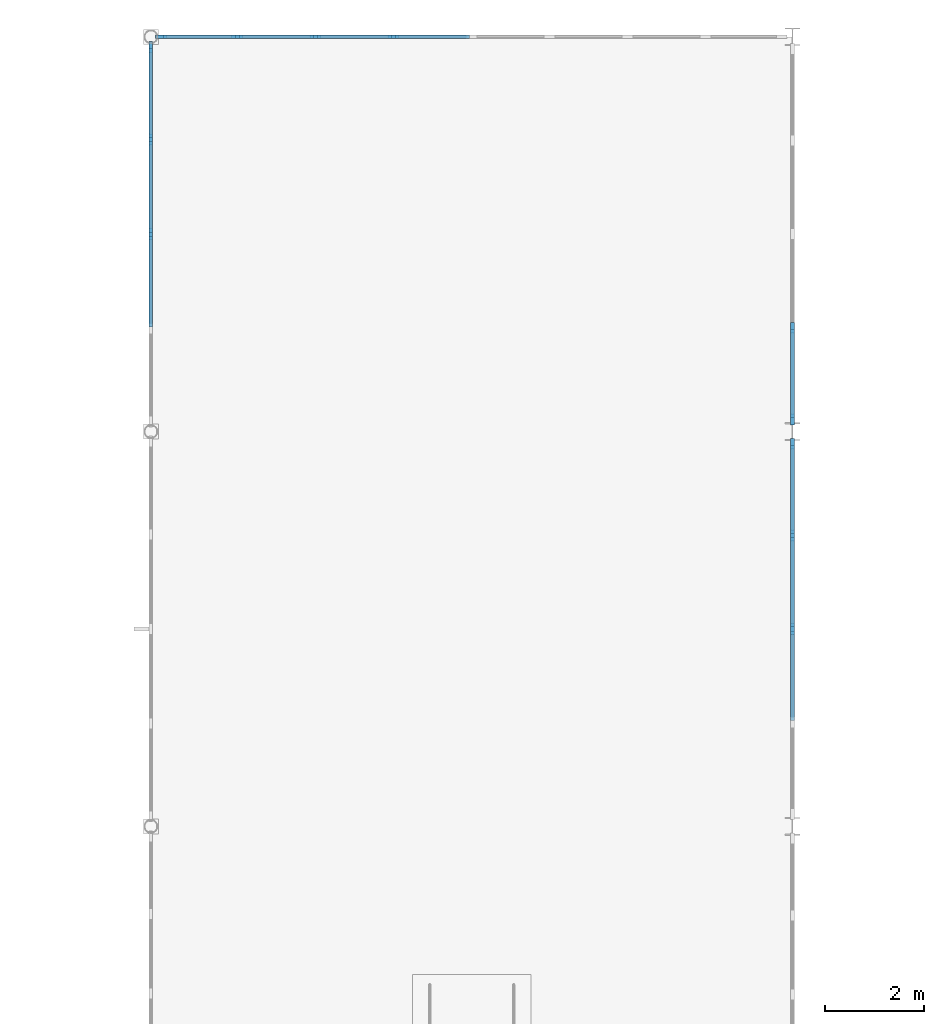
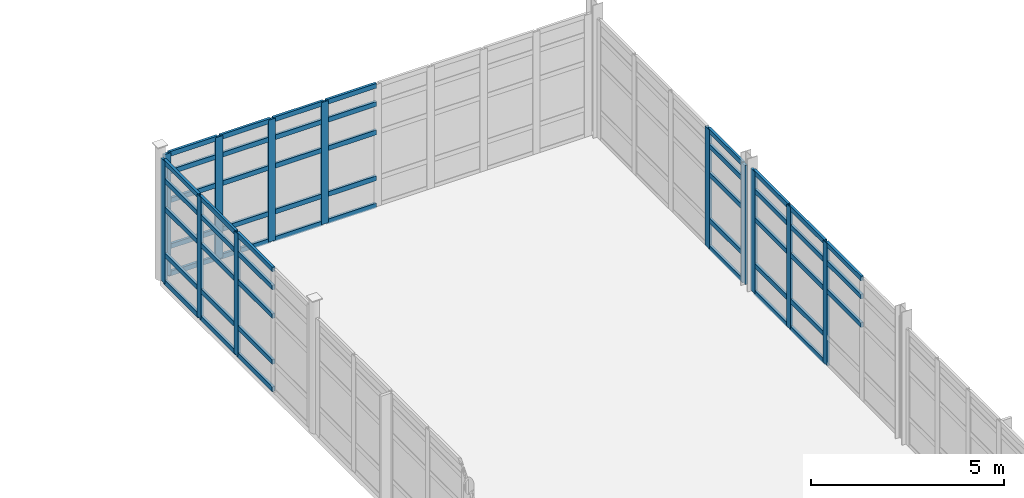
# One storey, part 54 of 122: 65 members, 4 elements without a shape of their own.
"""IFC4 building model written with IfcOpenShell, lengths in metres."""

from ifc_helpers import new_model, si_unit, direction, frame, origin, origin_2d, place, context, subcontext, project, spatial, rectangle, extrude, material, layer, layer_set, material_profile, profile_set, type_object, element, aggregate, save


model = new_model("IFC4")

# Units and contexts
model_context = context("Model", 3, precision=1e-05, world=origin(), true_north=direction((0.0, 1.0)))
body_context = subcontext(model_context, "Body", "Model", "MODEL_VIEW")
ifc_project = project(units=[si_unit("LENGTHUNIT", "METRE"), si_unit("AREAUNIT", "SQUARE_METRE"), si_unit("VOLUMEUNIT", "CUBIC_METRE"), si_unit("PLANEANGLEUNIT", "RADIAN"), si_unit("MASSUNIT", "GRAM", prefix="KILO"), si_unit("THERMODYNAMICTEMPERATUREUNIT", "KELVIN"), si_unit("POWERUNIT", "WATT")], contexts=[model_context])

# Site, building, storey
site_placement = place(None, origin())
site = spatial("IfcSite", under=ifc_project, at=site_placement, CompositionType="ELEMENT")
building_placement = place(site_placement, origin())
building = spatial("IfcBuilding", under=site, at=building_placement, Name="Korenveer Ferry Terminal", CompositionType="ELEMENT")
storey_placement = place(building_placement, frame((0.0, 0.0, 10.199951171875)))
storey = spatial("IfcBuildingStorey", under=building, at=storey_placement, Name="L02", CompositionType="ELEMENT", Elevation=10.199951171875)

# Curtain wall, members
ifc_material_1 = material(Name="Unitised bronze-and-glass curtain wall", Category="glass")
ifc_layer_1 = layer(ifc_material_1, 0.219970703125)
ifc_layer_set_1 = layer_set([ifc_layer_1], Name="Unitised bronze-and-glass curtain wall")
curtain_wall_type_1 = type_object("IfcCurtainWallType", Name="ENV-CW-102", PredefinedType="USERDEFINED", material=ifc_layer_set_1)
curtain_wall_1_placement = place(storey_placement, frame((40.16650390625, 116.0, 0.0)))
curtain_wall_1 = element("IfcCurtainWall", 1, at=curtain_wall_1_placement, inside=storey, type_object=curtain_wall_type_1, Name="Lancet curtain wall CWX-L02-X40-53-Y116-116", ObjectType="UNITISED CURTAIN WALL", PredefinedType="USERDEFINED")
ifc_material_2 = material(Name="Anodised bronze aluminium", Category="aluminium")
ifc_material_profile_1 = material_profile(ifc_material_2, rectangle(XDim=0.074951171875, YDim=0.219970703125, at=origin_2d()), Name="ALU 75x220")
ifc_profile_set_1 = profile_set([ifc_material_profile_1], Name="Anodised bronze aluminium")
member_type_1 = type_object("IfcMemberType", Name="ENV-CWM-75X220", PredefinedType="MULLION", material=ifc_profile_set_1)
member_1_placement = place(storey_placement, frame((40.2041015625, 116.0, 0.0), z_axis=(0.0, 0.0, 1.0), x_axis=(0.0, 1.0, 0.0)))
member_1 = element("IfcMember", 2, at=member_1_placement, type_object=member_type_1, Name="CW-102 mullion 1", PredefinedType="MULLION", context=body_context, shape_type="SweptSolid", body=[
    extrude(rectangle(XDim=0.074951171875, YDim=0.219970703125, at=origin_2d()), origin(), (0.0, 0.0, 1.0), 3.860107421875),
])
member_2_placement = place(storey_placement, frame((41.748291015625, 116.0, 0.0), z_axis=(0.0, 0.0, 1.0), x_axis=(0.0, 1.0, 0.0)))
member_2 = element("IfcMember", 3, at=member_2_placement, type_object=member_type_1, Name="CW-102 mullion 2", PredefinedType="MULLION", context=body_context, shape_type="SweptSolid", body=[
    extrude(rectangle(XDim=0.074951171875, YDim=0.219970703125, at=origin_2d()), origin(), (0.0, 0.0, 1.0), 3.860107421875),
])
member_3_placement = place(storey_placement, frame((43.329833984375, 116.0, 0.0), z_axis=(0.0, 0.0, 1.0), x_axis=(0.0, 1.0, 0.0)))
member_3 = element("IfcMember", 4, at=member_3_placement, type_object=member_type_1, Name="CW-102 mullion 3", PredefinedType="MULLION", context=body_context, shape_type="SweptSolid", body=[
    extrude(rectangle(XDim=0.074951171875, YDim=0.219970703125, at=origin_2d()), origin(), (0.0, 0.0, 1.0), 3.860107421875),
])
member_4_placement = place(storey_placement, frame((44.91162109375, 116.0, 0.0), z_axis=(0.0, 0.0, 1.0), x_axis=(0.0, 1.0, 0.0)))
member_4 = element("IfcMember", 5, at=member_4_placement, type_object=member_type_1, Name="CW-102 mullion 4", PredefinedType="MULLION", context=body_context, shape_type="SweptSolid", body=[
    extrude(rectangle(XDim=0.074951171875, YDim=0.219970703125, at=origin_2d()), origin(), (0.0, 0.0, 1.0), 3.860107421875),
])

ifc_layer_2 = layer(ifc_material_1, 0.219970703125)
ifc_layer_set_2 = layer_set([ifc_layer_2], Name="Unitised bronze-and-glass curtain wall")
curtain_wall_type_2 = type_object("IfcCurtainWallType", Name="ENV-CW-113", PredefinedType="USERDEFINED", material=ifc_layer_set_2)
curtain_wall_2_placement = place(storey_placement, frame((40.0, 108.16650390625, 0.0)))
curtain_wall_2 = element("IfcCurtainWall", 6, at=curtain_wall_2_placement, inside=storey, type_object=curtain_wall_type_2, Name="Lancet curtain wall CWX-L02-X40-40-Y108-116", ObjectType="UNITISED CURTAIN WALL", PredefinedType="USERDEFINED")
member_5_placement = place(storey_placement, frame((40.0, 112.0, 0.0), z_axis=(0.0, 0.0, 1.0), x_axis=(-1.0, 0.0, 0.0)))
member_5 = element("IfcMember", 7, at=member_5_placement, type_object=member_type_1, Name="CW-113 mullion 3", PredefinedType="MULLION", context=body_context, shape_type="SweptSolid", body=[
    extrude(rectangle(XDim=0.074951171875, YDim=0.219970703125, at=origin_2d()), origin(), (0.0, 0.0, 1.0), 3.860107421875),
])
member_6_placement = place(storey_placement, frame((40.0, 113.916748046875, 0.0), z_axis=(0.0, 0.0, 1.0), x_axis=(-1.0, 0.0, 0.0)))
member_6 = element("IfcMember", 8, at=member_6_placement, type_object=member_type_1, Name="CW-113 mullion 4", PredefinedType="MULLION", context=body_context, shape_type="SweptSolid", body=[
    extrude(rectangle(XDim=0.074951171875, YDim=0.219970703125, at=origin_2d()), origin(), (0.0, 0.0, 1.0), 3.860107421875),
])
member_7_placement = place(storey_placement, frame((40.0, 115.7958984375, 0.0), z_axis=(0.0, 0.0, 1.0), x_axis=(-1.0, 0.0, 0.0)))
member_7 = element("IfcMember", 9, at=member_7_placement, type_object=member_type_1, Name="CW-113 mullion 5", PredefinedType="MULLION", context=body_context, shape_type="SweptSolid", body=[
    extrude(rectangle(XDim=0.074951171875, YDim=0.219970703125, at=origin_2d()), origin(), (0.0, 0.0, 1.0), 3.860107421875),
])

ifc_layer_3 = layer(ifc_material_1, 0.219970703125)
ifc_layer_set_3 = layer_set([ifc_layer_3], Name="Unitised bronze-and-glass curtain wall")
curtain_wall_type_3 = type_object("IfcCurtainWallType", Name="ENV-CW-118", PredefinedType="USERDEFINED", material=ifc_layer_set_3)
curtain_wall_3_placement = place(storey_placement, frame((53.0, 107.7900390625, 0.0)))
curtain_wall_3 = element("IfcCurtainWall", 10, at=curtain_wall_3_placement, inside=storey, type_object=curtain_wall_type_3, Name="Lancet curtain wall CWX-L02-X53-53-Y100-108", ObjectType="UNITISED CURTAIN WALL", PredefinedType="USERDEFINED")
member_8_placement = place(storey_placement, frame((53.0, 107.75244140625, 0.0), z_axis=(0.0, 0.0, 1.0), x_axis=(1.0, 0.0, 0.0)))
member_8 = element("IfcMember", 11, at=member_8_placement, type_object=member_type_1, Name="CW-118 mullion 1", PredefinedType="MULLION", context=body_context, shape_type="SweptSolid", body=[
    extrude(rectangle(XDim=0.074951171875, YDim=0.219970703125, at=origin_2d()), origin(), (0.0, 0.0, 1.0), 3.860107421875),
])
member_9_placement = place(storey_placement, frame((53.0, 105.89501953125, 0.0), z_axis=(0.0, 0.0, 1.0), x_axis=(1.0, 0.0, 0.0)))
member_9 = element("IfcMember", 12, at=member_9_placement, type_object=member_type_1, Name="CW-118 mullion 2", PredefinedType="MULLION", context=body_context, shape_type="SweptSolid", body=[
    extrude(rectangle(XDim=0.074951171875, YDim=0.219970703125, at=origin_2d()), origin(), (0.0, 0.0, 1.0), 3.860107421875),
])
member_10_placement = place(storey_placement, frame((53.0, 104.0, 0.0), z_axis=(0.0, 0.0, 1.0), x_axis=(1.0, 0.0, 0.0)))
member_10 = element("IfcMember", 13, at=member_10_placement, type_object=member_type_1, Name="CW-118 mullion 3", PredefinedType="MULLION", context=body_context, shape_type="SweptSolid", body=[
    extrude(rectangle(XDim=0.074951171875, YDim=0.219970703125, at=origin_2d()), origin(), (0.0, 0.0, 1.0), 3.860107421875),
])

ifc_layer_4 = layer(ifc_material_1, 0.219970703125)
ifc_layer_set_4 = layer_set([ifc_layer_4], Name="Unitised bronze-and-glass curtain wall")
curtain_wall_type_4 = type_object("IfcCurtainWallType", Name="ENV-CW-119", PredefinedType="USERDEFINED", material=ifc_layer_set_4)
curtain_wall_4_placement = place(storey_placement, frame((53.0, 115.7900390625, 0.0)))
curtain_wall_4 = element("IfcCurtainWall", 14, at=curtain_wall_4_placement, inside=storey, type_object=curtain_wall_type_4, Name="Lancet curtain wall CWX-L02-X53-53-Y108-116", ObjectType="UNITISED CURTAIN WALL", PredefinedType="USERDEFINED")
member_11_placement = place(storey_placement, frame((53.0, 110.10498046875, 0.0), z_axis=(0.0, 0.0, 1.0), x_axis=(1.0, 0.0, 0.0)))
member_11 = element("IfcMember", 15, at=member_11_placement, type_object=member_type_1, Name="CW-119 mullion 4", PredefinedType="MULLION", context=body_context, shape_type="SweptSolid", body=[
    extrude(rectangle(XDim=0.074951171875, YDim=0.219970703125, at=origin_2d()), origin(), (0.0, 0.0, 1.0), 3.760009765625),
])
member_12_placement = place(storey_placement, frame((53.0, 108.24755859375, 0.0), z_axis=(0.0, 0.0, 1.0), x_axis=(1.0, 0.0, 0.0)))
member_12 = element("IfcMember", 16, at=member_12_placement, type_object=member_type_1, Name="CW-119 mullion 5", PredefinedType="MULLION", context=body_context, shape_type="SweptSolid", body=[
    extrude(rectangle(XDim=0.074951171875, YDim=0.219970703125, at=origin_2d()), origin(), (0.0, 0.0, 1.0), 3.760009765625),
])

# Member
ifc_material_profile_2 = material_profile(ifc_material_2, rectangle(XDim=0.074951171875, YDim=0.14990234375, at=origin_2d()), Name="ALU 75x150")
ifc_profile_set_2 = profile_set([ifc_material_profile_2], Name="Anodised bronze aluminium")
member_type_2 = type_object("IfcMemberType", Name="ENV-CWT-75X150", PredefinedType="USERDEFINED", material=ifc_profile_set_2)
member_13_placement = place(storey_placement, frame((40.241455078125, 116.0, 0.03759765625), z_axis=(1.0, 0.0, 0.0), x_axis=(0.0, 1.0, 0.0)))
member_13 = element("IfcMember", 17, at=member_13_placement, type_object=member_type_2, Name="CW-102 transom 1.1", ObjectType="TRANSOM", PredefinedType="USERDEFINED", context=body_context, shape_type="SweptSolid", body=[
    extrude(rectangle(XDim=0.074951171875, YDim=0.14990234375, at=origin_2d()), origin(), (0.0, 0.0, 1.0), 1.46923828125),
])

member_14_placement = place(storey_placement, frame((40.241455078125, 116.0, 0.900146484375), z_axis=(1.0, 0.0, 0.0), x_axis=(0.0, 1.0, 0.0)))
member_14 = element("IfcMember", 18, at=member_14_placement, type_object=member_type_2, Name="CW-102 transom 1.2", ObjectType="TRANSOM", PredefinedType="USERDEFINED", context=body_context, shape_type="SweptSolid", body=[
    extrude(rectangle(XDim=0.074951171875, YDim=0.14990234375, at=origin_2d()), origin(), (0.0, 0.0, 1.0), 1.46923828125),
])

member_15_placement = place(storey_placement, frame((40.241455078125, 116.0, 2.35009765625), z_axis=(1.0, 0.0, 0.0), x_axis=(0.0, 1.0, 0.0)))
member_15 = element("IfcMember", 19, at=member_15_placement, type_object=member_type_2, Name="CW-102 transom 1.3", ObjectType="TRANSOM", PredefinedType="USERDEFINED", context=body_context, shape_type="SweptSolid", body=[
    extrude(rectangle(XDim=0.074951171875, YDim=0.14990234375, at=origin_2d()), origin(), (0.0, 0.0, 1.0), 1.46923828125),
])

member_16_placement = place(storey_placement, frame((40.241455078125, 116.0, 3.25), z_axis=(1.0, 0.0, 0.0), x_axis=(0.0, 1.0, 0.0)))
member_16 = element("IfcMember", 20, at=member_16_placement, type_object=member_type_2, Name="CW-102 transom 1.4", ObjectType="TRANSOM", PredefinedType="USERDEFINED", context=body_context, shape_type="SweptSolid", body=[
    extrude(rectangle(XDim=0.074951171875, YDim=0.14990234375, at=origin_2d()), origin(), (0.0, 0.0, 1.0), 1.46923828125),
])

member_17_placement = place(storey_placement, frame((40.241455078125, 116.0, 3.822509765625), z_axis=(1.0, 0.0, 0.0), x_axis=(0.0, 1.0, 0.0)))
member_17 = element("IfcMember", 21, at=member_17_placement, type_object=member_type_2, Name="CW-102 transom 1.5", ObjectType="TRANSOM", PredefinedType="USERDEFINED", context=body_context, shape_type="SweptSolid", body=[
    extrude(rectangle(XDim=0.074951171875, YDim=0.14990234375, at=origin_2d()), origin(), (0.0, 0.0, 1.0), 1.46923828125),
])

member_18_placement = place(storey_placement, frame((41.78564453125, 116.0, 0.03759765625), z_axis=(1.0, 0.0, 0.0), x_axis=(0.0, 1.0, 0.0)))
member_18 = element("IfcMember", 22, at=member_18_placement, type_object=member_type_2, Name="CW-102 transom 2.1", ObjectType="TRANSOM", PredefinedType="USERDEFINED", context=body_context, shape_type="SweptSolid", body=[
    extrude(rectangle(XDim=0.074951171875, YDim=0.14990234375, at=origin_2d()), origin(), (0.0, 0.0, 1.0), 1.5068359375),
])

member_19_placement = place(storey_placement, frame((41.78564453125, 116.0, 0.900146484375), z_axis=(1.0, 0.0, 0.0), x_axis=(0.0, 1.0, 0.0)))
member_19 = element("IfcMember", 23, at=member_19_placement, type_object=member_type_2, Name="CW-102 transom 2.2", ObjectType="TRANSOM", PredefinedType="USERDEFINED", context=body_context, shape_type="SweptSolid", body=[
    extrude(rectangle(XDim=0.074951171875, YDim=0.14990234375, at=origin_2d()), origin(), (0.0, 0.0, 1.0), 1.5068359375),
])

member_20_placement = place(storey_placement, frame((41.78564453125, 116.0, 2.35009765625), z_axis=(1.0, 0.0, 0.0), x_axis=(0.0, 1.0, 0.0)))
member_20 = element("IfcMember", 24, at=member_20_placement, type_object=member_type_2, Name="CW-102 transom 2.3", ObjectType="TRANSOM", PredefinedType="USERDEFINED", context=body_context, shape_type="SweptSolid", body=[
    extrude(rectangle(XDim=0.074951171875, YDim=0.14990234375, at=origin_2d()), origin(), (0.0, 0.0, 1.0), 1.5068359375),
])

member_21_placement = place(storey_placement, frame((41.78564453125, 116.0, 3.25), z_axis=(1.0, 0.0, 0.0), x_axis=(0.0, 1.0, 0.0)))
member_21 = element("IfcMember", 25, at=member_21_placement, type_object=member_type_2, Name="CW-102 transom 2.4", ObjectType="TRANSOM", PredefinedType="USERDEFINED", context=body_context, shape_type="SweptSolid", body=[
    extrude(rectangle(XDim=0.074951171875, YDim=0.14990234375, at=origin_2d()), origin(), (0.0, 0.0, 1.0), 1.5068359375),
])

member_22_placement = place(storey_placement, frame((41.78564453125, 116.0, 3.822509765625), z_axis=(1.0, 0.0, 0.0), x_axis=(0.0, 1.0, 0.0)))
member_22 = element("IfcMember", 26, at=member_22_placement, type_object=member_type_2, Name="CW-102 transom 2.5", ObjectType="TRANSOM", PredefinedType="USERDEFINED", context=body_context, shape_type="SweptSolid", body=[
    extrude(rectangle(XDim=0.074951171875, YDim=0.14990234375, at=origin_2d()), origin(), (0.0, 0.0, 1.0), 1.5068359375),
])

member_23_placement = place(storey_placement, frame((43.367431640625, 116.0, 0.03759765625), z_axis=(1.0, 0.0, 0.0), x_axis=(0.0, 1.0, 0.0)))
member_23 = element("IfcMember", 27, at=member_23_placement, type_object=member_type_2, Name="CW-102 transom 3.1", ObjectType="TRANSOM", PredefinedType="USERDEFINED", context=body_context, shape_type="SweptSolid", body=[
    extrude(rectangle(XDim=0.074951171875, YDim=0.14990234375, at=origin_2d()), origin(), (0.0, 0.0, 1.0), 1.506591796875),
])

member_24_placement = place(storey_placement, frame((43.367431640625, 116.0, 0.900146484375), z_axis=(1.0, 0.0, 0.0), x_axis=(0.0, 1.0, 0.0)))
member_24 = element("IfcMember", 28, at=member_24_placement, type_object=member_type_2, Name="CW-102 transom 3.2", ObjectType="TRANSOM", PredefinedType="USERDEFINED", context=body_context, shape_type="SweptSolid", body=[
    extrude(rectangle(XDim=0.074951171875, YDim=0.14990234375, at=origin_2d()), origin(), (0.0, 0.0, 1.0), 1.506591796875),
])

member_25_placement = place(storey_placement, frame((43.367431640625, 116.0, 2.35009765625), z_axis=(1.0, 0.0, 0.0), x_axis=(0.0, 1.0, 0.0)))
member_25 = element("IfcMember", 29, at=member_25_placement, type_object=member_type_2, Name="CW-102 transom 3.3", ObjectType="TRANSOM", PredefinedType="USERDEFINED", context=body_context, shape_type="SweptSolid", body=[
    extrude(rectangle(XDim=0.074951171875, YDim=0.14990234375, at=origin_2d()), origin(), (0.0, 0.0, 1.0), 1.506591796875),
])

member_26_placement = place(storey_placement, frame((43.367431640625, 116.0, 3.25), z_axis=(1.0, 0.0, 0.0), x_axis=(0.0, 1.0, 0.0)))
member_26 = element("IfcMember", 30, at=member_26_placement, type_object=member_type_2, Name="CW-102 transom 3.4", ObjectType="TRANSOM", PredefinedType="USERDEFINED", context=body_context, shape_type="SweptSolid", body=[
    extrude(rectangle(XDim=0.074951171875, YDim=0.14990234375, at=origin_2d()), origin(), (0.0, 0.0, 1.0), 1.506591796875),
])

member_27_placement = place(storey_placement, frame((43.367431640625, 116.0, 3.822509765625), z_axis=(1.0, 0.0, 0.0), x_axis=(0.0, 1.0, 0.0)))
member_27 = element("IfcMember", 31, at=member_27_placement, type_object=member_type_2, Name="CW-102 transom 3.5", ObjectType="TRANSOM", PredefinedType="USERDEFINED", context=body_context, shape_type="SweptSolid", body=[
    extrude(rectangle(XDim=0.074951171875, YDim=0.14990234375, at=origin_2d()), origin(), (0.0, 0.0, 1.0), 1.506591796875),
])

member_28_placement = place(storey_placement, frame((44.948974609375, 116.0, 0.03759765625), z_axis=(1.0, 0.0, 0.0), x_axis=(0.0, 1.0, 0.0)))
member_28 = element("IfcMember", 32, at=member_28_placement, type_object=member_type_2, Name="CW-102 transom 4.1", ObjectType="TRANSOM", PredefinedType="USERDEFINED", context=body_context, shape_type="SweptSolid", body=[
    extrude(rectangle(XDim=0.074951171875, YDim=0.14990234375, at=origin_2d()), origin(), (0.0, 0.0, 1.0), 1.5068359375),
])

member_29_placement = place(storey_placement, frame((44.948974609375, 116.0, 0.900146484375), z_axis=(1.0, 0.0, 0.0), x_axis=(0.0, 1.0, 0.0)))
member_29 = element("IfcMember", 33, at=member_29_placement, type_object=member_type_2, Name="CW-102 transom 4.2", ObjectType="TRANSOM", PredefinedType="USERDEFINED", context=body_context, shape_type="SweptSolid", body=[
    extrude(rectangle(XDim=0.074951171875, YDim=0.14990234375, at=origin_2d()), origin(), (0.0, 0.0, 1.0), 1.5068359375),
])

member_30_placement = place(storey_placement, frame((44.948974609375, 116.0, 2.35009765625), z_axis=(1.0, 0.0, 0.0), x_axis=(0.0, 1.0, 0.0)))
member_30 = element("IfcMember", 34, at=member_30_placement, type_object=member_type_2, Name="CW-102 transom 4.3", ObjectType="TRANSOM", PredefinedType="USERDEFINED", context=body_context, shape_type="SweptSolid", body=[
    extrude(rectangle(XDim=0.074951171875, YDim=0.14990234375, at=origin_2d()), origin(), (0.0, 0.0, 1.0), 1.5068359375),
])

member_31_placement = place(storey_placement, frame((44.948974609375, 116.0, 3.25), z_axis=(1.0, 0.0, 0.0), x_axis=(0.0, 1.0, 0.0)))
member_31 = element("IfcMember", 35, at=member_31_placement, type_object=member_type_2, Name="CW-102 transom 4.4", ObjectType="TRANSOM", PredefinedType="USERDEFINED", context=body_context, shape_type="SweptSolid", body=[
    extrude(rectangle(XDim=0.074951171875, YDim=0.14990234375, at=origin_2d()), origin(), (0.0, 0.0, 1.0), 1.5068359375),
])

member_32_placement = place(storey_placement, frame((44.948974609375, 116.0, 3.822509765625), z_axis=(1.0, 0.0, 0.0), x_axis=(0.0, 1.0, 0.0)))
member_32 = element("IfcMember", 36, at=member_32_placement, type_object=member_type_2, Name="CW-102 transom 4.5", ObjectType="TRANSOM", PredefinedType="USERDEFINED", context=body_context, shape_type="SweptSolid", body=[
    extrude(rectangle(XDim=0.074951171875, YDim=0.14990234375, at=origin_2d()), origin(), (0.0, 0.0, 1.0), 1.5068359375),
])

aggregate(curtain_wall_1, [member_1, member_2, member_3, member_4, member_13, member_14, member_15, member_16, member_17, member_18, member_19, member_20, member_21, member_22, member_23, member_24, member_25, member_26, member_27, member_28, member_29, member_30, member_31, member_32])

member_33_placement = place(storey_placement, frame((40.0, 110.120849609375, 0.03759765625), z_axis=(0.0, 1.0, 0.0), x_axis=(-1.0, 0.0, 0.0)))
member_33 = element("IfcMember", 37, at=member_33_placement, type_object=member_type_2, Name="CW-113 transom 2.1", ObjectType="TRANSOM", PredefinedType="USERDEFINED", context=body_context, shape_type="SweptSolid", body=[
    extrude(rectangle(XDim=0.074951171875, YDim=0.14990234375, at=origin_2d()), origin(), (0.0, 0.0, 1.0), 1.841552734375),
])

member_34_placement = place(storey_placement, frame((40.0, 110.120849609375, 0.900146484375), z_axis=(0.0, 1.0, 0.0), x_axis=(-1.0, 0.0, 0.0)))
member_34 = element("IfcMember", 38, at=member_34_placement, type_object=member_type_2, Name="CW-113 transom 2.2", ObjectType="TRANSOM", PredefinedType="USERDEFINED", context=body_context, shape_type="SweptSolid", body=[
    extrude(rectangle(XDim=0.074951171875, YDim=0.14990234375, at=origin_2d()), origin(), (0.0, 0.0, 1.0), 1.841552734375),
])

member_35_placement = place(storey_placement, frame((40.0, 110.120849609375, 2.35009765625), z_axis=(0.0, 1.0, 0.0), x_axis=(-1.0, 0.0, 0.0)))
member_35 = element("IfcMember", 39, at=member_35_placement, type_object=member_type_2, Name="CW-113 transom 2.3", ObjectType="TRANSOM", PredefinedType="USERDEFINED", context=body_context, shape_type="SweptSolid", body=[
    extrude(rectangle(XDim=0.074951171875, YDim=0.14990234375, at=origin_2d()), origin(), (0.0, 0.0, 1.0), 1.841552734375),
])

member_36_placement = place(storey_placement, frame((40.0, 110.120849609375, 3.25), z_axis=(0.0, 1.0, 0.0), x_axis=(-1.0, 0.0, 0.0)))
member_36 = element("IfcMember", 40, at=member_36_placement, type_object=member_type_2, Name="CW-113 transom 2.4", ObjectType="TRANSOM", PredefinedType="USERDEFINED", context=body_context, shape_type="SweptSolid", body=[
    extrude(rectangle(XDim=0.074951171875, YDim=0.14990234375, at=origin_2d()), origin(), (0.0, 0.0, 1.0), 1.841552734375),
])

member_37_placement = place(storey_placement, frame((40.0, 110.120849609375, 3.822509765625), z_axis=(0.0, 1.0, 0.0), x_axis=(-1.0, 0.0, 0.0)))
member_37 = element("IfcMember", 41, at=member_37_placement, type_object=member_type_2, Name="CW-113 transom 2.5", ObjectType="TRANSOM", PredefinedType="USERDEFINED", context=body_context, shape_type="SweptSolid", body=[
    extrude(rectangle(XDim=0.074951171875, YDim=0.14990234375, at=origin_2d()), origin(), (0.0, 0.0, 1.0), 1.841552734375),
])

member_38_placement = place(storey_placement, frame((40.0, 112.03759765625, 0.03759765625), z_axis=(0.0, 1.0, 0.0), x_axis=(-1.0, 0.0, 0.0)))
member_38 = element("IfcMember", 42, at=member_38_placement, type_object=member_type_2, Name="CW-113 transom 3.1", ObjectType="TRANSOM", PredefinedType="USERDEFINED", context=body_context, shape_type="SweptSolid", body=[
    extrude(rectangle(XDim=0.074951171875, YDim=0.14990234375, at=origin_2d()), origin(), (0.0, 0.0, 1.0), 1.841552734375),
])

member_39_placement = place(storey_placement, frame((40.0, 112.03759765625, 0.900146484375), z_axis=(0.0, 1.0, 0.0), x_axis=(-1.0, 0.0, 0.0)))
member_39 = element("IfcMember", 43, at=member_39_placement, type_object=member_type_2, Name="CW-113 transom 3.2", ObjectType="TRANSOM", PredefinedType="USERDEFINED", context=body_context, shape_type="SweptSolid", body=[
    extrude(rectangle(XDim=0.074951171875, YDim=0.14990234375, at=origin_2d()), origin(), (0.0, 0.0, 1.0), 1.841552734375),
])

member_40_placement = place(storey_placement, frame((40.0, 112.03759765625, 2.35009765625), z_axis=(0.0, 1.0, 0.0), x_axis=(-1.0, 0.0, 0.0)))
member_40 = element("IfcMember", 44, at=member_40_placement, type_object=member_type_2, Name="CW-113 transom 3.3", ObjectType="TRANSOM", PredefinedType="USERDEFINED", context=body_context, shape_type="SweptSolid", body=[
    extrude(rectangle(XDim=0.074951171875, YDim=0.14990234375, at=origin_2d()), origin(), (0.0, 0.0, 1.0), 1.841552734375),
])

member_41_placement = place(storey_placement, frame((40.0, 112.03759765625, 3.25), z_axis=(0.0, 1.0, 0.0), x_axis=(-1.0, 0.0, 0.0)))
member_41 = element("IfcMember", 45, at=member_41_placement, type_object=member_type_2, Name="CW-113 transom 3.4", ObjectType="TRANSOM", PredefinedType="USERDEFINED", context=body_context, shape_type="SweptSolid", body=[
    extrude(rectangle(XDim=0.074951171875, YDim=0.14990234375, at=origin_2d()), origin(), (0.0, 0.0, 1.0), 1.841552734375),
])

member_42_placement = place(storey_placement, frame((40.0, 112.03759765625, 3.822509765625), z_axis=(0.0, 1.0, 0.0), x_axis=(-1.0, 0.0, 0.0)))
member_42 = element("IfcMember", 46, at=member_42_placement, type_object=member_type_2, Name="CW-113 transom 3.5", ObjectType="TRANSOM", PredefinedType="USERDEFINED", context=body_context, shape_type="SweptSolid", body=[
    extrude(rectangle(XDim=0.074951171875, YDim=0.14990234375, at=origin_2d()), origin(), (0.0, 0.0, 1.0), 1.841552734375),
])

member_43_placement = place(storey_placement, frame((40.0, 113.954345703125, 0.03759765625), z_axis=(0.0, 1.0, 0.0), x_axis=(-1.0, 0.0, 0.0)))
member_43 = element("IfcMember", 47, at=member_43_placement, type_object=member_type_2, Name="CW-113 transom 4.1", ObjectType="TRANSOM", PredefinedType="USERDEFINED", context=body_context, shape_type="SweptSolid", body=[
    extrude(rectangle(XDim=0.074951171875, YDim=0.14990234375, at=origin_2d()), origin(), (0.0, 0.0, 1.0), 1.80419921875),
])

member_44_placement = place(storey_placement, frame((40.0, 113.954345703125, 0.900146484375), z_axis=(0.0, 1.0, 0.0), x_axis=(-1.0, 0.0, 0.0)))
member_44 = element("IfcMember", 48, at=member_44_placement, type_object=member_type_2, Name="CW-113 transom 4.2", ObjectType="TRANSOM", PredefinedType="USERDEFINED", context=body_context, shape_type="SweptSolid", body=[
    extrude(rectangle(XDim=0.074951171875, YDim=0.14990234375, at=origin_2d()), origin(), (0.0, 0.0, 1.0), 1.80419921875),
])

member_45_placement = place(storey_placement, frame((40.0, 113.954345703125, 2.35009765625), z_axis=(0.0, 1.0, 0.0), x_axis=(-1.0, 0.0, 0.0)))
member_45 = element("IfcMember", 49, at=member_45_placement, type_object=member_type_2, Name="CW-113 transom 4.3", ObjectType="TRANSOM", PredefinedType="USERDEFINED", context=body_context, shape_type="SweptSolid", body=[
    extrude(rectangle(XDim=0.074951171875, YDim=0.14990234375, at=origin_2d()), origin(), (0.0, 0.0, 1.0), 1.80419921875),
])

member_46_placement = place(storey_placement, frame((40.0, 113.954345703125, 3.25), z_axis=(0.0, 1.0, 0.0), x_axis=(-1.0, 0.0, 0.0)))
member_46 = element("IfcMember", 50, at=member_46_placement, type_object=member_type_2, Name="CW-113 transom 4.4", ObjectType="TRANSOM", PredefinedType="USERDEFINED", context=body_context, shape_type="SweptSolid", body=[
    extrude(rectangle(XDim=0.074951171875, YDim=0.14990234375, at=origin_2d()), origin(), (0.0, 0.0, 1.0), 1.80419921875),
])

member_47_placement = place(storey_placement, frame((40.0, 113.954345703125, 3.822509765625), z_axis=(0.0, 1.0, 0.0), x_axis=(-1.0, 0.0, 0.0)))
member_47 = element("IfcMember", 51, at=member_47_placement, type_object=member_type_2, Name="CW-113 transom 4.5", ObjectType="TRANSOM", PredefinedType="USERDEFINED", context=body_context, shape_type="SweptSolid", body=[
    extrude(rectangle(XDim=0.074951171875, YDim=0.14990234375, at=origin_2d()), origin(), (0.0, 0.0, 1.0), 1.80419921875),
])

aggregate(curtain_wall_2, [member_5, member_6, member_7, member_33, member_34, member_35, member_36, member_37, member_38, member_39, member_40, member_41, member_42, member_43, member_44, member_45, member_46, member_47])

member_48_placement = place(storey_placement, frame((53.0, 107.715087890625, 0.03759765625), z_axis=(0.0, -1.0, 0.0), x_axis=(1.0, 0.0, 0.0)))
member_48 = element("IfcMember", 52, at=member_48_placement, type_object=member_type_2, Name="CW-118 transom 1.1", ObjectType="TRANSOM", PredefinedType="USERDEFINED", context=body_context, shape_type="SweptSolid", body=[
    extrude(rectangle(XDim=0.074951171875, YDim=0.14990234375, at=origin_2d()), origin(), (0.0, 0.0, 1.0), 1.782470703125),
])

member_49_placement = place(storey_placement, frame((53.0, 107.715087890625, 0.900146484375), z_axis=(0.0, -1.0, 0.0), x_axis=(1.0, 0.0, 0.0)))
member_49 = element("IfcMember", 53, at=member_49_placement, type_object=member_type_2, Name="CW-118 transom 1.2", ObjectType="TRANSOM", PredefinedType="USERDEFINED", context=body_context, shape_type="SweptSolid", body=[
    extrude(rectangle(XDim=0.074951171875, YDim=0.14990234375, at=origin_2d()), origin(), (0.0, 0.0, 1.0), 1.782470703125),
])

member_50_placement = place(storey_placement, frame((53.0, 107.715087890625, 2.35009765625), z_axis=(0.0, -1.0, 0.0), x_axis=(1.0, 0.0, 0.0)))
member_50 = element("IfcMember", 54, at=member_50_placement, type_object=member_type_2, Name="CW-118 transom 1.3", ObjectType="TRANSOM", PredefinedType="USERDEFINED", context=body_context, shape_type="SweptSolid", body=[
    extrude(rectangle(XDim=0.074951171875, YDim=0.14990234375, at=origin_2d()), origin(), (0.0, 0.0, 1.0), 1.782470703125),
])

member_51_placement = place(storey_placement, frame((53.0, 107.715087890625, 3.25), z_axis=(0.0, -1.0, 0.0), x_axis=(1.0, 0.0, 0.0)))
member_51 = element("IfcMember", 55, at=member_51_placement, type_object=member_type_2, Name="CW-118 transom 1.4", ObjectType="TRANSOM", PredefinedType="USERDEFINED", context=body_context, shape_type="SweptSolid", body=[
    extrude(rectangle(XDim=0.074951171875, YDim=0.14990234375, at=origin_2d()), origin(), (0.0, 0.0, 1.0), 1.782470703125),
])

member_52_placement = place(storey_placement, frame((53.0, 107.715087890625, 3.822509765625), z_axis=(0.0, -1.0, 0.0), x_axis=(1.0, 0.0, 0.0)))
member_52 = element("IfcMember", 56, at=member_52_placement, type_object=member_type_2, Name="CW-118 transom 1.5", ObjectType="TRANSOM", PredefinedType="USERDEFINED", context=body_context, shape_type="SweptSolid", body=[
    extrude(rectangle(XDim=0.074951171875, YDim=0.14990234375, at=origin_2d()), origin(), (0.0, 0.0, 1.0), 1.782470703125),
])

member_53_placement = place(storey_placement, frame((53.0, 105.857421875, 0.03759765625), z_axis=(0.0, -1.0, 0.0), x_axis=(1.0, 0.0, 0.0)))
member_53 = element("IfcMember", 57, at=member_53_placement, type_object=member_type_2, Name="CW-118 transom 2.1", ObjectType="TRANSOM", PredefinedType="USERDEFINED", context=body_context, shape_type="SweptSolid", body=[
    extrude(rectangle(XDim=0.074951171875, YDim=0.14990234375, at=origin_2d()), origin(), (0.0, 0.0, 1.0), 1.81982421875),
])

member_54_placement = place(storey_placement, frame((53.0, 105.857421875, 0.900146484375), z_axis=(0.0, -1.0, 0.0), x_axis=(1.0, 0.0, 0.0)))
member_54 = element("IfcMember", 58, at=member_54_placement, type_object=member_type_2, Name="CW-118 transom 2.2", ObjectType="TRANSOM", PredefinedType="USERDEFINED", context=body_context, shape_type="SweptSolid", body=[
    extrude(rectangle(XDim=0.074951171875, YDim=0.14990234375, at=origin_2d()), origin(), (0.0, 0.0, 1.0), 1.81982421875),
])

member_55_placement = place(storey_placement, frame((53.0, 105.857421875, 2.35009765625), z_axis=(0.0, -1.0, 0.0), x_axis=(1.0, 0.0, 0.0)))
member_55 = element("IfcMember", 59, at=member_55_placement, type_object=member_type_2, Name="CW-118 transom 2.3", ObjectType="TRANSOM", PredefinedType="USERDEFINED", context=body_context, shape_type="SweptSolid", body=[
    extrude(rectangle(XDim=0.074951171875, YDim=0.14990234375, at=origin_2d()), origin(), (0.0, 0.0, 1.0), 1.81982421875),
])

member_56_placement = place(storey_placement, frame((53.0, 105.857421875, 3.25), z_axis=(0.0, -1.0, 0.0), x_axis=(1.0, 0.0, 0.0)))
member_56 = element("IfcMember", 60, at=member_56_placement, type_object=member_type_2, Name="CW-118 transom 2.4", ObjectType="TRANSOM", PredefinedType="USERDEFINED", context=body_context, shape_type="SweptSolid", body=[
    extrude(rectangle(XDim=0.074951171875, YDim=0.14990234375, at=origin_2d()), origin(), (0.0, 0.0, 1.0), 1.81982421875),
])

member_57_placement = place(storey_placement, frame((53.0, 105.857421875, 3.822509765625), z_axis=(0.0, -1.0, 0.0), x_axis=(1.0, 0.0, 0.0)))
member_57 = element("IfcMember", 61, at=member_57_placement, type_object=member_type_2, Name="CW-118 transom 2.5", ObjectType="TRANSOM", PredefinedType="USERDEFINED", context=body_context, shape_type="SweptSolid", body=[
    extrude(rectangle(XDim=0.074951171875, YDim=0.14990234375, at=origin_2d()), origin(), (0.0, 0.0, 1.0), 1.81982421875),
])

member_58_placement = place(storey_placement, frame((53.0, 103.96240234375, 2.35009765625), z_axis=(0.0, -1.0, 0.0), x_axis=(1.0, 0.0, 0.0)))
member_58 = element("IfcMember", 62, at=member_58_placement, type_object=member_type_2, Name="CW-118 transom 3.3", ObjectType="TRANSOM", PredefinedType="USERDEFINED", context=body_context, shape_type="SweptSolid", body=[
    extrude(rectangle(XDim=0.074951171875, YDim=0.14990234375, at=origin_2d()), origin(), (0.0, 0.0, 1.0), 1.81982421875),
])

member_59_placement = place(storey_placement, frame((53.0, 103.96240234375, 3.25), z_axis=(0.0, -1.0, 0.0), x_axis=(1.0, 0.0, 0.0)))
member_59 = element("IfcMember", 63, at=member_59_placement, type_object=member_type_2, Name="CW-118 transom 3.4", ObjectType="TRANSOM", PredefinedType="USERDEFINED", context=body_context, shape_type="SweptSolid", body=[
    extrude(rectangle(XDim=0.074951171875, YDim=0.14990234375, at=origin_2d()), origin(), (0.0, 0.0, 1.0), 1.81982421875),
])

member_60_placement = place(storey_placement, frame((53.0, 103.96240234375, 3.822509765625), z_axis=(0.0, -1.0, 0.0), x_axis=(1.0, 0.0, 0.0)))
member_60 = element("IfcMember", 64, at=member_60_placement, type_object=member_type_2, Name="CW-118 transom 3.5", ObjectType="TRANSOM", PredefinedType="USERDEFINED", context=body_context, shape_type="SweptSolid", body=[
    extrude(rectangle(XDim=0.074951171875, YDim=0.14990234375, at=origin_2d()), origin(), (0.0, 0.0, 1.0), 1.81982421875),
])

aggregate(curtain_wall_3, [member_8, member_9, member_10, member_48, member_49, member_50, member_51, member_52, member_53, member_54, member_55, member_56, member_57, member_58, member_59, member_60])

member_61_placement = place(storey_placement, frame((53.0, 110.0673828125, 0.03759765625), z_axis=(0.0, -1.0, 0.0), x_axis=(1.0, 0.0, 0.0)))
member_61 = element("IfcMember", 65, at=member_61_placement, type_object=member_type_2, Name="CW-119 transom 4.1", ObjectType="TRANSOM", PredefinedType="USERDEFINED", context=body_context, shape_type="SweptSolid", body=[
    extrude(rectangle(XDim=0.074951171875, YDim=0.14990234375, at=origin_2d()), origin(), (0.0, 0.0, 1.0), 1.782470703125),
])

member_62_placement = place(storey_placement, frame((53.0, 110.0673828125, 0.900146484375), z_axis=(0.0, -1.0, 0.0), x_axis=(1.0, 0.0, 0.0)))
member_62 = element("IfcMember", 66, at=member_62_placement, type_object=member_type_2, Name="CW-119 transom 4.2", ObjectType="TRANSOM", PredefinedType="USERDEFINED", context=body_context, shape_type="SweptSolid", body=[
    extrude(rectangle(XDim=0.074951171875, YDim=0.14990234375, at=origin_2d()), origin(), (0.0, 0.0, 1.0), 1.782470703125),
])

member_63_placement = place(storey_placement, frame((53.0, 110.0673828125, 2.35009765625), z_axis=(0.0, -1.0, 0.0), x_axis=(1.0, 0.0, 0.0)))
member_63 = element("IfcMember", 67, at=member_63_placement, type_object=member_type_2, Name="CW-119 transom 4.3", ObjectType="TRANSOM", PredefinedType="USERDEFINED", context=body_context, shape_type="SweptSolid", body=[
    extrude(rectangle(XDim=0.074951171875, YDim=0.14990234375, at=origin_2d()), origin(), (0.0, 0.0, 1.0), 1.782470703125),
])

member_64_placement = place(storey_placement, frame((53.0, 110.0673828125, 3.25), z_axis=(0.0, -1.0, 0.0), x_axis=(1.0, 0.0, 0.0)))
member_64 = element("IfcMember", 68, at=member_64_placement, type_object=member_type_2, Name="CW-119 transom 4.4", ObjectType="TRANSOM", PredefinedType="USERDEFINED", context=body_context, shape_type="SweptSolid", body=[
    extrude(rectangle(XDim=0.074951171875, YDim=0.14990234375, at=origin_2d()), origin(), (0.0, 0.0, 1.0), 1.782470703125),
])

member_65_placement = place(storey_placement, frame((53.0, 110.0673828125, 3.72265625), z_axis=(0.0, -1.0, 0.0), x_axis=(1.0, 0.0, 0.0)))
member_65 = element("IfcMember", 69, at=member_65_placement, type_object=member_type_2, Name="CW-119 transom 4.5", ObjectType="TRANSOM", PredefinedType="USERDEFINED", context=body_context, shape_type="SweptSolid", body=[
    extrude(rectangle(XDim=0.074951171875, YDim=0.14990234375, at=origin_2d()), origin(), (0.0, 0.0, 1.0), 1.782470703125),
])

aggregate(curtain_wall_4, [member_11, member_12, member_61, member_62, member_63, member_64, member_65])

save(model, "model.ifc")
